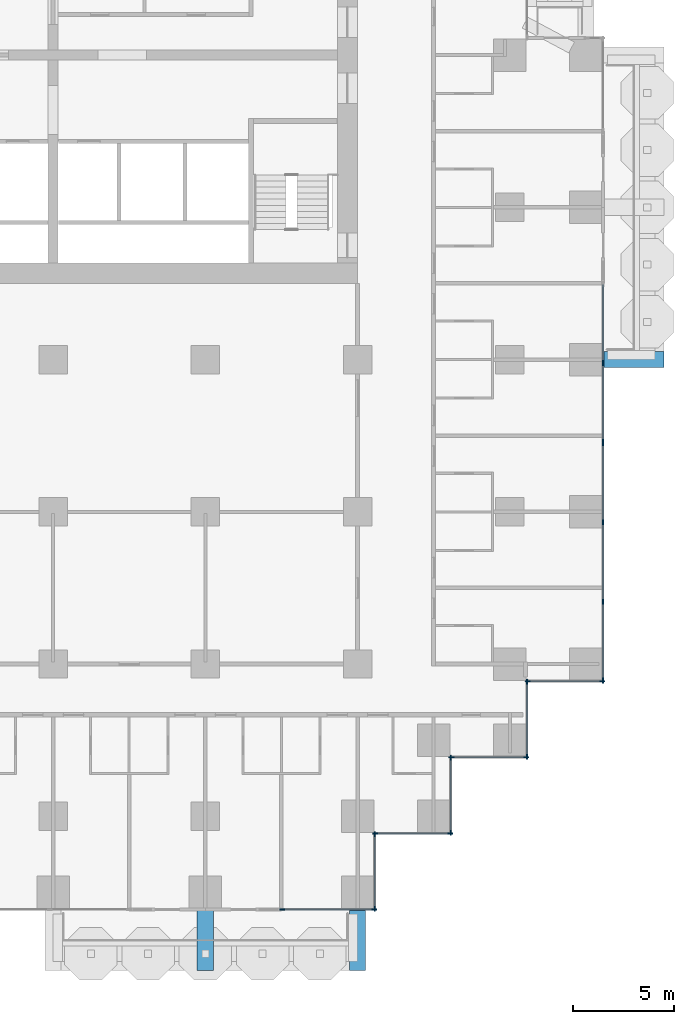
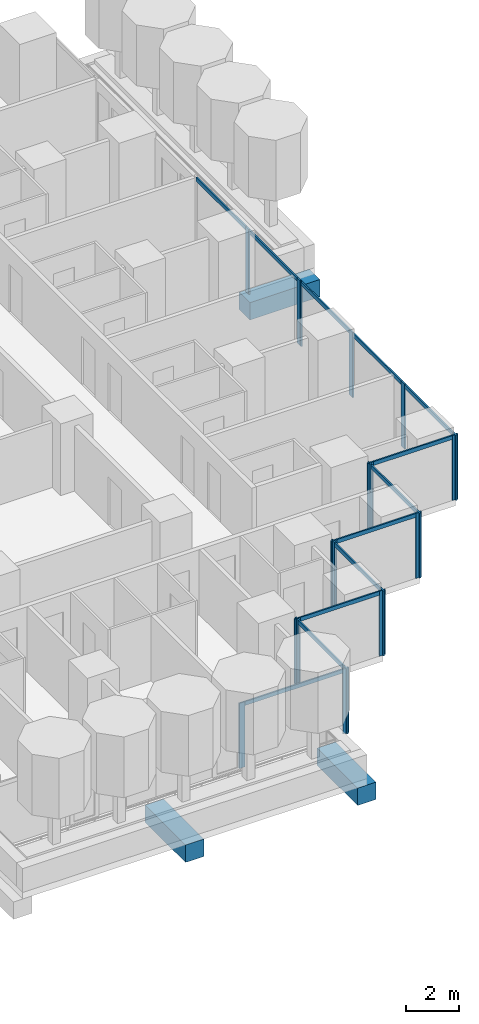
# One storey, part 3 of 19: 32 members, 3 beams, 9 elements without a shape of their own.
"""IFC4 building model written with IfcOpenShell, lengths in metres."""

from ifc_helpers import new_model, si_unit, direction, frame, origin, origin_2d, place, context, subcontext, project, spatial, rectangle, extrude, material, material_profile, profile_set, type_object, element, aggregate, save


model = new_model("IFC4")

# Units and contexts
model_context = context("Model", 3, precision=1e-05, world=origin(), true_north=direction((0.0, 1.0)))
body_context = subcontext(model_context, "Body", "Model", "MODEL_VIEW")
ifc_project = project(units=[si_unit("LENGTHUNIT", "METRE"), si_unit("AREAUNIT", "SQUARE_METRE"), si_unit("VOLUMEUNIT", "CUBIC_METRE"), si_unit("PLANEANGLEUNIT", "RADIAN"), si_unit("MASSUNIT", "GRAM", prefix="KILO")], contexts=[model_context])

# Site, building, storey
site_placement = place(None, origin())
site = spatial("IfcSite", under=ifc_project, at=site_placement, CompositionType="ELEMENT")
building_placement = place(site_placement, origin())
building = spatial("IfcBuilding", under=site, at=building_placement, Name="Pilkhan Gate Tower", CompositionType="ELEMENT")
storey_placement = place(building_placement, frame((0.0, 0.0, 46.10009765625)))
storey = spatial("IfcBuildingStorey", under=building, at=storey_placement, Name="L08", CompositionType="ELEMENT", Elevation=46.10009765625)

# Beams
ifc_material_1 = material(Name="Concrete C50/60", Category="concrete")
ifc_material_profile_1 = material_profile(ifc_material_1, rectangle(XDim=0.800048828125, YDim=0.800048828125, at=origin_2d()), Name="RC 800x800")
ifc_profile_set_1 = profile_set([ifc_material_profile_1], Name="Concrete C50/60")
beam_type = type_object("IfcBeamType", Name="Cantilever beam CB2 RC 800x800 C50/60", PredefinedType="BEAM", material=ifc_profile_set_1)
for number, where, z_axis, x_axis, name in (
    (1, (82.5, 40.449951171875, -0.7001953125), (0.0, -1.0, 0.0), (1.0, 0.0, 0.0), "Balcony beam S.2 L08"),
    (2, (90.0, 40.449951171875, -0.7001953125), (0.0, -1.0, 0.0), (1.0, 0.0, 0.0), "Balcony beam S.3 L08"),
    (3, (102.050048828125, 67.5, -0.7001953125), (1.0, 0.0, 0.0), (0.0, 1.0, 0.0), "Balcony beam E.1 L08"),
):
    element("IfcBeam", number, at=place(storey_placement, frame(where, z_axis=z_axis, x_axis=x_axis)), inside=storey, type_object=beam_type, Name=name, PredefinedType="BEAM", context=body_context, shape_type="SweptSolid", body=[
        extrude(rectangle(XDim=0.800048828125, YDim=0.800048828125, at=origin_2d()), origin(), (0.0, 0.0, 1.0), 3.050048828125),
    ])

# Curtain wall, members
ifc_material_2 = material(Name="Pale anodised aluminium, clear low-iron double glazing", Category="aluminium")
curtain_wall_type = type_object("IfcCurtainWallType", Name="Hotel unitised curtain wall CW-H", PredefinedType="USERDEFINED", material=ifc_material_2)
curtain_wall_1_placement = place(storey_placement, origin())
curtain_wall_1 = element("IfcCurtainWall", 4, at=curtain_wall_1_placement, inside=storey, type_object=curtain_wall_type, Name="Hotel unitised curtain wall CW-H L08 E", ObjectType="UNITISED CURTAIN WALL", PredefinedType="USERDEFINED")
ifc_material_3 = material(Name="Pale anodised aluminium", Category="aluminium")
ifc_material_profile_2 = material_profile(ifc_material_3, rectangle(XDim=0.06494140625, YDim=0.25, at=origin_2d()), Name="Mullion 250x65")
ifc_profile_set_2 = profile_set([ifc_material_profile_2], Name="Pale anodised aluminium")
member_type_1 = type_object("IfcMemberType", Name="Mullion CW-H 250x65", PredefinedType="MULLION", material=ifc_profile_set_2)
member_1_placement = place(storey_placement, frame((102.094970703125, 51.6875, 0.0), z_axis=(0.0, 0.0, 1.0), x_axis=(-1.0, 0.0, 0.0)))
member_1 = element("IfcMember", 5, at=member_1_placement, type_object=member_type_1, Name="CW-H mullion 1", PredefinedType="MULLION", context=body_context, shape_type="SweptSolid", body=[
    extrude(rectangle(XDim=0.06494140625, YDim=0.25, at=origin_2d()), origin(), (0.0, 0.0, 1.0), 3.0),
])
member_2_placement = place(storey_placement, frame((102.094970703125, 55.573974609375, 0.0), z_axis=(0.0, 0.0, 1.0), x_axis=(-1.0, 0.0, 0.0)))
member_2 = element("IfcMember", 6, at=member_2_placement, type_object=member_type_1, Name="CW-H mullion 2", PredefinedType="MULLION", context=body_context, shape_type="SweptSolid", body=[
    extrude(rectangle(XDim=0.06494140625, YDim=0.25, at=origin_2d()), origin(), (0.0, 0.0, 1.0), 3.0),
])
member_3_placement = place(storey_placement, frame((102.094970703125, 59.492919921875, 0.0), z_axis=(0.0, 0.0, 1.0), x_axis=(-1.0, 0.0, 0.0)))
member_3 = element("IfcMember", 7, at=member_3_placement, type_object=member_type_1, Name="CW-H mullion 3", PredefinedType="MULLION", context=body_context, shape_type="SweptSolid", body=[
    extrude(rectangle(XDim=0.06494140625, YDim=0.25, at=origin_2d()), origin(), (0.0, 0.0, 1.0), 3.0),
])
member_4_placement = place(storey_placement, frame((102.094970703125, 63.37939453125, 0.0), z_axis=(0.0, 0.0, 1.0), x_axis=(-1.0, 0.0, 0.0)))
member_4 = element("IfcMember", 8, at=member_4_placement, type_object=member_type_1, Name="CW-H mullion 4", PredefinedType="MULLION", context=body_context, shape_type="SweptSolid", body=[
    extrude(rectangle(XDim=0.06494140625, YDim=0.25, at=origin_2d()), origin(), (0.0, 0.0, 1.0), 3.0),
])

curtain_wall_2_placement = place(storey_placement, origin())
curtain_wall_2 = element("IfcCurtainWall", 9, at=curtain_wall_2_placement, inside=storey, type_object=curtain_wall_type, Name="Hotel unitised curtain wall CW-H L08 E", ObjectType="UNITISED CURTAIN WALL", PredefinedType="USERDEFINED")
member_5_placement = place(storey_placement, frame((102.094970703125, 63.444580078125, 0.0), z_axis=(0.0, 0.0, 1.0), x_axis=(-1.0, 0.0, 0.0)))
member_5 = element("IfcMember", 10, at=member_5_placement, type_object=member_type_1, Name="CW-H mullion 1", PredefinedType="MULLION", context=body_context, shape_type="SweptSolid", body=[
    extrude(rectangle(XDim=0.06494140625, YDim=0.25, at=origin_2d()), origin(), (0.0, 0.0, 1.0), 3.0),
])
member_6_placement = place(storey_placement, frame((102.094970703125, 67.3310546875, 0.0), z_axis=(0.0, 0.0, 1.0), x_axis=(-1.0, 0.0, 0.0)))
member_6 = element("IfcMember", 11, at=member_6_placement, type_object=member_type_1, Name="CW-H mullion 2", PredefinedType="MULLION", context=body_context, shape_type="SweptSolid", body=[
    extrude(rectangle(XDim=0.06494140625, YDim=0.25, at=origin_2d()), origin(), (0.0, 0.0, 1.0), 3.0),
])

curtain_wall_3_placement = place(storey_placement, origin())
curtain_wall_3 = element("IfcCurtainWall", 12, at=curtain_wall_3_placement, inside=storey, type_object=curtain_wall_type, Name="Hotel unitised curtain wall CW-H L08 S", ObjectType="UNITISED CURTAIN WALL", PredefinedType="USERDEFINED")
member_7_placement = place(storey_placement, frame((86.282470703125, 40.405029296875, 0.0), z_axis=(0.0, 0.0, 1.0), x_axis=(0.0, 1.0, 0.0)))
member_7 = element("IfcMember", 13, at=member_7_placement, type_object=member_type_1, Name="CW-H mullion 1", PredefinedType="MULLION", context=body_context, shape_type="SweptSolid", body=[
    extrude(rectangle(XDim=0.06494140625, YDim=0.25, at=origin_2d()), origin(), (0.0, 0.0, 1.0), 3.0),
])
member_8_placement = place(storey_placement, frame((90.8125, 40.405029296875, 0.0), z_axis=(0.0, 0.0, 1.0), x_axis=(0.0, 1.0, 0.0)))
member_8 = element("IfcMember", 14, at=member_8_placement, type_object=member_type_1, Name="CW-H mullion 2", PredefinedType="MULLION", context=body_context, shape_type="SweptSolid", body=[
    extrude(rectangle(XDim=0.06494140625, YDim=0.25, at=origin_2d()), origin(), (0.0, 0.0, 1.0), 3.0),
])

curtain_wall_4_placement = place(storey_placement, origin())
curtain_wall_4 = element("IfcCurtainWall", 15, at=curtain_wall_4_placement, inside=storey, type_object=curtain_wall_type, Name="Hotel unitised curtain wall CW-H L08 E", ObjectType="UNITISED CURTAIN WALL", PredefinedType="USERDEFINED")
member_9_placement = place(storey_placement, frame((90.844970703125, 40.4375, 0.0), z_axis=(0.0, 0.0, 1.0), x_axis=(-1.0, 0.0, 0.0)))
member_9 = element("IfcMember", 16, at=member_9_placement, type_object=member_type_1, Name="CW-H mullion 1", PredefinedType="MULLION", context=body_context, shape_type="SweptSolid", body=[
    extrude(rectangle(XDim=0.06494140625, YDim=0.25, at=origin_2d()), origin(), (0.0, 0.0, 1.0), 3.0),
])
member_10_placement = place(storey_placement, frame((90.844970703125, 44.12255859375, 0.0), z_axis=(0.0, 0.0, 1.0), x_axis=(-1.0, 0.0, 0.0)))
member_10 = element("IfcMember", 17, at=member_10_placement, type_object=member_type_1, Name="CW-H mullion 2", PredefinedType="MULLION", context=body_context, shape_type="SweptSolid", body=[
    extrude(rectangle(XDim=0.06494140625, YDim=0.25, at=origin_2d()), origin(), (0.0, 0.0, 1.0), 3.0),
])

curtain_wall_5_placement = place(storey_placement, origin())
curtain_wall_5 = element("IfcCurtainWall", 18, at=curtain_wall_5_placement, inside=storey, type_object=curtain_wall_type, Name="Hotel unitised curtain wall CW-H L08 S", ObjectType="UNITISED CURTAIN WALL", PredefinedType="USERDEFINED")
member_11_placement = place(storey_placement, frame((90.87744140625, 44.155029296875, 0.0), z_axis=(0.0, 0.0, 1.0), x_axis=(0.0, 1.0, 0.0)))
member_11 = element("IfcMember", 19, at=member_11_placement, type_object=member_type_1, Name="CW-H mullion 1", PredefinedType="MULLION", context=body_context, shape_type="SweptSolid", body=[
    extrude(rectangle(XDim=0.06494140625, YDim=0.25, at=origin_2d()), origin(), (0.0, 0.0, 1.0), 3.0),
])
member_12_placement = place(storey_placement, frame((94.5625, 44.155029296875, 0.0), z_axis=(0.0, 0.0, 1.0), x_axis=(0.0, 1.0, 0.0)))
member_12 = element("IfcMember", 20, at=member_12_placement, type_object=member_type_1, Name="CW-H mullion 2", PredefinedType="MULLION", context=body_context, shape_type="SweptSolid", body=[
    extrude(rectangle(XDim=0.06494140625, YDim=0.25, at=origin_2d()), origin(), (0.0, 0.0, 1.0), 3.0),
])

curtain_wall_6_placement = place(storey_placement, origin())
curtain_wall_6 = element("IfcCurtainWall", 21, at=curtain_wall_6_placement, inside=storey, type_object=curtain_wall_type, Name="Hotel unitised curtain wall CW-H L08 E", ObjectType="UNITISED CURTAIN WALL", PredefinedType="USERDEFINED")
member_13_placement = place(storey_placement, frame((94.594970703125, 44.1875, 0.0), z_axis=(0.0, 0.0, 1.0), x_axis=(-1.0, 0.0, 0.0)))
member_13 = element("IfcMember", 22, at=member_13_placement, type_object=member_type_1, Name="CW-H mullion 1", PredefinedType="MULLION", context=body_context, shape_type="SweptSolid", body=[
    extrude(rectangle(XDim=0.06494140625, YDim=0.25, at=origin_2d()), origin(), (0.0, 0.0, 1.0), 3.0),
])
member_14_placement = place(storey_placement, frame((94.594970703125, 47.87255859375, 0.0), z_axis=(0.0, 0.0, 1.0), x_axis=(-1.0, 0.0, 0.0)))
member_14 = element("IfcMember", 23, at=member_14_placement, type_object=member_type_1, Name="CW-H mullion 2", PredefinedType="MULLION", context=body_context, shape_type="SweptSolid", body=[
    extrude(rectangle(XDim=0.06494140625, YDim=0.25, at=origin_2d()), origin(), (0.0, 0.0, 1.0), 3.0),
])

curtain_wall_7_placement = place(storey_placement, origin())
curtain_wall_7 = element("IfcCurtainWall", 24, at=curtain_wall_7_placement, inside=storey, type_object=curtain_wall_type, Name="Hotel unitised curtain wall CW-H L08 S", ObjectType="UNITISED CURTAIN WALL", PredefinedType="USERDEFINED")
member_15_placement = place(storey_placement, frame((94.62744140625, 47.905029296875, 0.0), z_axis=(0.0, 0.0, 1.0), x_axis=(0.0, 1.0, 0.0)))
member_15 = element("IfcMember", 25, at=member_15_placement, type_object=member_type_1, Name="CW-H mullion 1", PredefinedType="MULLION", context=body_context, shape_type="SweptSolid", body=[
    extrude(rectangle(XDim=0.06494140625, YDim=0.25, at=origin_2d()), origin(), (0.0, 0.0, 1.0), 3.0),
])
member_16_placement = place(storey_placement, frame((98.3125, 47.905029296875, 0.0), z_axis=(0.0, 0.0, 1.0), x_axis=(0.0, 1.0, 0.0)))
member_16 = element("IfcMember", 26, at=member_16_placement, type_object=member_type_1, Name="CW-H mullion 2", PredefinedType="MULLION", context=body_context, shape_type="SweptSolid", body=[
    extrude(rectangle(XDim=0.06494140625, YDim=0.25, at=origin_2d()), origin(), (0.0, 0.0, 1.0), 3.0),
])

curtain_wall_8_placement = place(storey_placement, origin())
curtain_wall_8 = element("IfcCurtainWall", 27, at=curtain_wall_8_placement, inside=storey, type_object=curtain_wall_type, Name="Hotel unitised curtain wall CW-H L08 E", ObjectType="UNITISED CURTAIN WALL", PredefinedType="USERDEFINED")
member_17_placement = place(storey_placement, frame((98.344970703125, 47.9375, 0.0), z_axis=(0.0, 0.0, 1.0), x_axis=(-1.0, 0.0, 0.0)))
member_17 = element("IfcMember", 28, at=member_17_placement, type_object=member_type_1, Name="CW-H mullion 1", PredefinedType="MULLION", context=body_context, shape_type="SweptSolid", body=[
    extrude(rectangle(XDim=0.06494140625, YDim=0.25, at=origin_2d()), origin(), (0.0, 0.0, 1.0), 3.0),
])
member_18_placement = place(storey_placement, frame((98.344970703125, 51.62255859375, 0.0), z_axis=(0.0, 0.0, 1.0), x_axis=(-1.0, 0.0, 0.0)))
member_18 = element("IfcMember", 29, at=member_18_placement, type_object=member_type_1, Name="CW-H mullion 2", PredefinedType="MULLION", context=body_context, shape_type="SweptSolid", body=[
    extrude(rectangle(XDim=0.06494140625, YDim=0.25, at=origin_2d()), origin(), (0.0, 0.0, 1.0), 3.0),
])

curtain_wall_9_placement = place(storey_placement, origin())
curtain_wall_9 = element("IfcCurtainWall", 30, at=curtain_wall_9_placement, inside=storey, type_object=curtain_wall_type, Name="Hotel unitised curtain wall CW-H L08 S", ObjectType="UNITISED CURTAIN WALL", PredefinedType="USERDEFINED")
member_19_placement = place(storey_placement, frame((98.37744140625, 51.655029296875, 0.0), z_axis=(0.0, 0.0, 1.0), x_axis=(0.0, 1.0, 0.0)))
member_19 = element("IfcMember", 31, at=member_19_placement, type_object=member_type_1, Name="CW-H mullion 1", PredefinedType="MULLION", context=body_context, shape_type="SweptSolid", body=[
    extrude(rectangle(XDim=0.06494140625, YDim=0.25, at=origin_2d()), origin(), (0.0, 0.0, 1.0), 3.0),
])
member_20_placement = place(storey_placement, frame((102.0625, 51.655029296875, 0.0), z_axis=(0.0, 0.0, 1.0), x_axis=(0.0, 1.0, 0.0)))
member_20 = element("IfcMember", 32, at=member_20_placement, type_object=member_type_1, Name="CW-H mullion 2", PredefinedType="MULLION", context=body_context, shape_type="SweptSolid", body=[
    extrude(rectangle(XDim=0.06494140625, YDim=0.25, at=origin_2d()), origin(), (0.0, 0.0, 1.0), 3.0),
])

# Member
ifc_material_profile_3 = material_profile(ifc_material_3, rectangle(XDim=0.06494140625, YDim=0.179931640625, at=origin_2d()), Name="Transom 180x65")
ifc_profile_set_3 = profile_set([ifc_material_profile_3], Name="Pale anodised aluminium")
member_type_2 = type_object("IfcMemberType", Name="Transom CW-H 180x65", PredefinedType="USERDEFINED", material=ifc_profile_set_3)
member_21_placement = place(storey_placement, frame((102.094970703125, 51.719970703125, 2.909912109375), z_axis=(0.0, 1.0, 0.0), x_axis=(-1.0, 0.0, 0.0)))
member_21 = element("IfcMember", 33, at=member_21_placement, type_object=member_type_2, Name="CW-H transom 1", ObjectType="TRANSOM", PredefinedType="USERDEFINED", context=body_context, shape_type="SweptSolid", body=[
    extrude(rectangle(XDim=0.06494140625, YDim=0.179931640625, at=origin_2d()), origin(), (0.0, 0.0, 1.0), 3.821533203125),
])

member_22_placement = place(storey_placement, frame((102.094970703125, 55.6064453125, 2.909912109375), z_axis=(0.0, 1.0, 0.0), x_axis=(-1.0, 0.0, 0.0)))
member_22 = element("IfcMember", 34, at=member_22_placement, type_object=member_type_2, Name="CW-H transom 2", ObjectType="TRANSOM", PredefinedType="USERDEFINED", context=body_context, shape_type="SweptSolid", body=[
    extrude(rectangle(XDim=0.06494140625, YDim=0.179931640625, at=origin_2d()), origin(), (0.0, 0.0, 1.0), 3.85400390625),
])

member_23_placement = place(storey_placement, frame((102.094970703125, 59.525390625, 2.909912109375), z_axis=(0.0, 1.0, 0.0), x_axis=(-1.0, 0.0, 0.0)))
member_23 = element("IfcMember", 35, at=member_23_placement, type_object=member_type_2, Name="CW-H transom 3", ObjectType="TRANSOM", PredefinedType="USERDEFINED", context=body_context, shape_type="SweptSolid", body=[
    extrude(rectangle(XDim=0.06494140625, YDim=0.179931640625, at=origin_2d()), origin(), (0.0, 0.0, 1.0), 3.821533203125),
])

aggregate(curtain_wall_1, [member_1, member_2, member_3, member_4, member_21, member_22, member_23])

member_24_placement = place(storey_placement, frame((102.094970703125, 63.47705078125, 2.909912109375), z_axis=(0.0, 1.0, 0.0), x_axis=(-1.0, 0.0, 0.0)))
member_24 = element("IfcMember", 36, at=member_24_placement, type_object=member_type_2, Name="CW-H transom 1", ObjectType="TRANSOM", PredefinedType="USERDEFINED", context=body_context, shape_type="SweptSolid", body=[
    extrude(rectangle(XDim=0.06494140625, YDim=0.179931640625, at=origin_2d()), origin(), (0.0, 0.0, 1.0), 3.821533203125),
])

member_25_placement = place(storey_placement, frame((102.094970703125, 67.363525390625, 2.909912109375), z_axis=(0.0, 1.0, 0.0), x_axis=(-1.0, 0.0, 0.0)))
member_25 = element("IfcMember", 37, at=member_25_placement, type_object=member_type_2, Name="CW-H transom 2", ObjectType="TRANSOM", PredefinedType="USERDEFINED", context=body_context, shape_type="SweptSolid", body=[
    extrude(rectangle(XDim=0.06494140625, YDim=0.179931640625, at=origin_2d()), origin(), (0.0, 0.0, 1.0), 3.821533203125),
])

aggregate(curtain_wall_2, [member_5, member_6, member_24, member_25])

member_26_placement = place(storey_placement, frame((86.31494140625, 40.405029296875, 2.909912109375), z_axis=(1.0, 0.0, 0.0), x_axis=(0.0, 1.0, 0.0)))
member_26 = element("IfcMember", 38, at=member_26_placement, type_object=member_type_2, Name="CW-H transom 1", ObjectType="TRANSOM", PredefinedType="USERDEFINED", context=body_context, shape_type="SweptSolid", body=[
    extrude(rectangle(XDim=0.06494140625, YDim=0.179931640625, at=origin_2d()), origin(), (0.0, 0.0, 1.0), 4.465087890625),
])

aggregate(curtain_wall_3, [member_7, member_8, member_26])

member_27_placement = place(storey_placement, frame((90.844970703125, 40.469970703125, 2.909912109375), z_axis=(0.0, 1.0, 0.0), x_axis=(-1.0, 0.0, 0.0)))
member_27 = element("IfcMember", 39, at=member_27_placement, type_object=member_type_2, Name="CW-H transom 1", ObjectType="TRANSOM", PredefinedType="USERDEFINED", context=body_context, shape_type="SweptSolid", body=[
    extrude(rectangle(XDim=0.06494140625, YDim=0.179931640625, at=origin_2d()), origin(), (0.0, 0.0, 1.0), 3.6201171875),
])

aggregate(curtain_wall_4, [member_9, member_10, member_27])

member_28_placement = place(storey_placement, frame((90.909912109375, 44.155029296875, 2.909912109375), z_axis=(1.0, 0.0, 0.0), x_axis=(0.0, 1.0, 0.0)))
member_28 = element("IfcMember", 40, at=member_28_placement, type_object=member_type_2, Name="CW-H transom 1", ObjectType="TRANSOM", PredefinedType="USERDEFINED", context=body_context, shape_type="SweptSolid", body=[
    extrude(rectangle(XDim=0.06494140625, YDim=0.179931640625, at=origin_2d()), origin(), (0.0, 0.0, 1.0), 3.6201171875),
])

aggregate(curtain_wall_5, [member_11, member_12, member_28])

member_29_placement = place(storey_placement, frame((94.594970703125, 44.219970703125, 2.909912109375), z_axis=(0.0, 1.0, 0.0), x_axis=(-1.0, 0.0, 0.0)))
member_29 = element("IfcMember", 41, at=member_29_placement, type_object=member_type_2, Name="CW-H transom 1", ObjectType="TRANSOM", PredefinedType="USERDEFINED", context=body_context, shape_type="SweptSolid", body=[
    extrude(rectangle(XDim=0.06494140625, YDim=0.179931640625, at=origin_2d()), origin(), (0.0, 0.0, 1.0), 3.6201171875),
])

aggregate(curtain_wall_6, [member_13, member_14, member_29])

member_30_placement = place(storey_placement, frame((94.659912109375, 47.905029296875, 2.909912109375), z_axis=(1.0, 0.0, 0.0), x_axis=(0.0, 1.0, 0.0)))
member_30 = element("IfcMember", 42, at=member_30_placement, type_object=member_type_2, Name="CW-H transom 1", ObjectType="TRANSOM", PredefinedType="USERDEFINED", context=body_context, shape_type="SweptSolid", body=[
    extrude(rectangle(XDim=0.06494140625, YDim=0.179931640625, at=origin_2d()), origin(), (0.0, 0.0, 1.0), 3.6201171875),
])

aggregate(curtain_wall_7, [member_15, member_16, member_30])

member_31_placement = place(storey_placement, frame((98.344970703125, 47.969970703125, 2.909912109375), z_axis=(0.0, 1.0, 0.0), x_axis=(-1.0, 0.0, 0.0)))
member_31 = element("IfcMember", 43, at=member_31_placement, type_object=member_type_2, Name="CW-H transom 1", ObjectType="TRANSOM", PredefinedType="USERDEFINED", context=body_context, shape_type="SweptSolid", body=[
    extrude(rectangle(XDim=0.06494140625, YDim=0.179931640625, at=origin_2d()), origin(), (0.0, 0.0, 1.0), 3.6201171875),
])

aggregate(curtain_wall_8, [member_17, member_18, member_31])

member_32_placement = place(storey_placement, frame((98.409912109375, 51.655029296875, 2.909912109375), z_axis=(1.0, 0.0, 0.0), x_axis=(0.0, 1.0, 0.0)))
member_32 = element("IfcMember", 44, at=member_32_placement, type_object=member_type_2, Name="CW-H transom 1", ObjectType="TRANSOM", PredefinedType="USERDEFINED", context=body_context, shape_type="SweptSolid", body=[
    extrude(rectangle(XDim=0.06494140625, YDim=0.179931640625, at=origin_2d()), origin(), (0.0, 0.0, 1.0), 3.6201171875),
])

aggregate(curtain_wall_9, [member_19, member_20, member_32])

save(model, "model.ifc")
